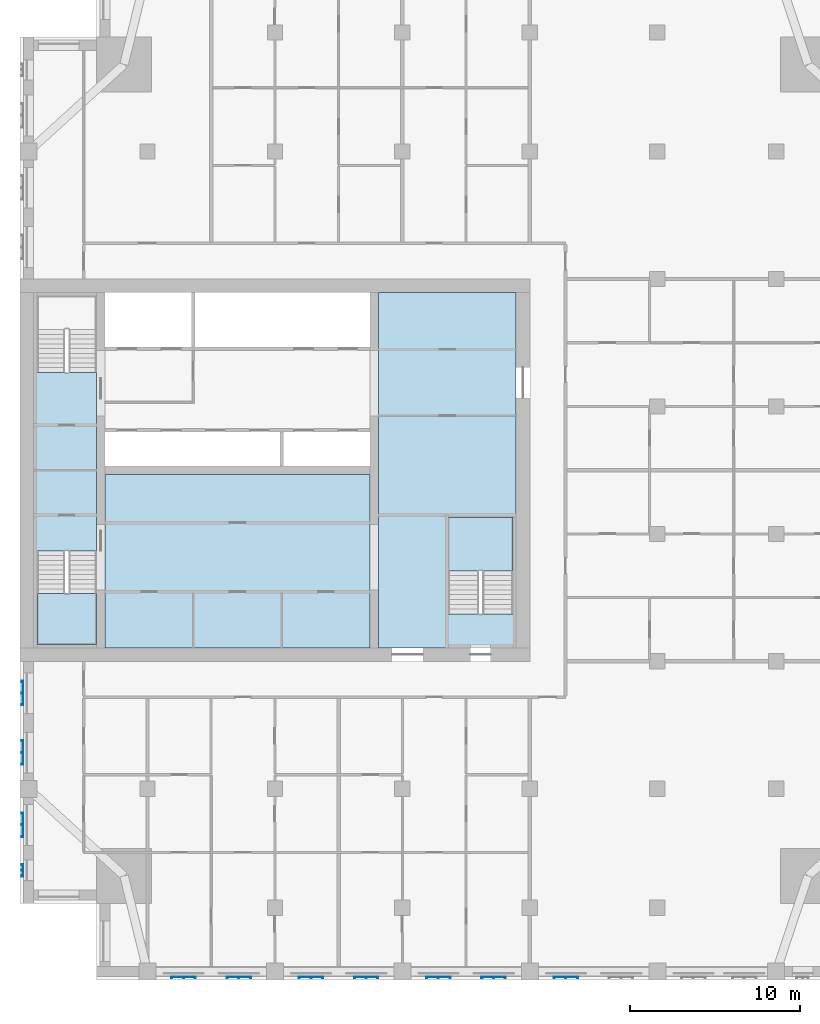
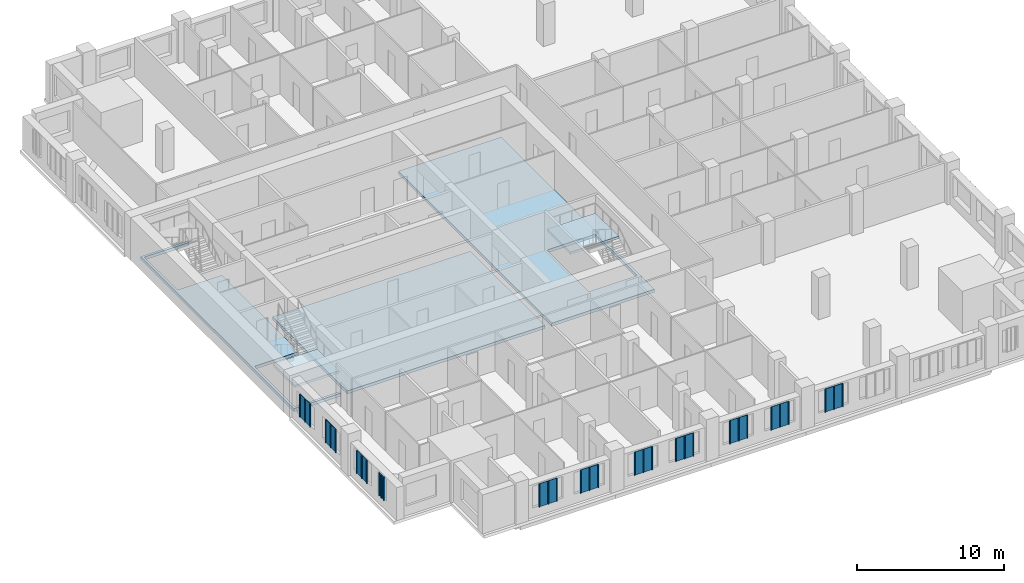
# One storey, part 2 of 14: 11 plates, 5 slabs, 2 elements without a shape of their own.
"""IFC4 building model written with IfcOpenShell, lengths in metres."""

from ifc_helpers import new_model, si_unit, direction, frame, origin, place, context, subcontext, project, spatial, polyline, outline, extrude, material, layer, layer_set, type_object, element, aggregate, save


model = new_model("IFC4")

# Units and contexts
model_context = context("Model", 3, precision=1e-05, world=origin(), true_north=direction((0.0, 1.0)))
body_context = subcontext(model_context, "Body", "Model", "MODEL_VIEW")
ifc_project = project(units=[si_unit("LENGTHUNIT", "METRE"), si_unit("AREAUNIT", "SQUARE_METRE"), si_unit("VOLUMEUNIT", "CUBIC_METRE"), si_unit("PLANEANGLEUNIT", "RADIAN"), si_unit("MASSUNIT", "GRAM", prefix="KILO")], contexts=[model_context])

# Site, building, storey
site_placement = place(None, origin())
site = spatial("IfcSite", under=ifc_project, at=site_placement, CompositionType="ELEMENT")
building_placement = place(site_placement, origin())
building = spatial("IfcBuilding", under=site, at=building_placement, Name="Tamorin Gate", CompositionType="ELEMENT")
storey_placement = place(building_placement, frame((0.0, 0.0, 179.199951171875)))
storey = spatial("IfcBuildingStorey", under=building, at=storey_placement, Name="L43", CompositionType="ELEMENT", Elevation=179.199951171875)

# Slabs
ifc_material_1 = material(Name="Concrete C40/50", Category="concrete")
ifc_layer_1 = layer(ifc_material_1, 0.25)
ifc_layer_set_1 = layer_set([ifc_layer_1], Name="Core floor slab 250 C40/50")
slab_type_1 = type_object("IfcSlabType", Name="Core floor slab 250 C40/50", PredefinedType="FLOOR", material=ifc_layer_set_1)
slab_1_placement = place(storey_placement, frame((0.0, 0.0, -0.25)))
element("IfcSlab", 1, at=slab_1_placement, inside=storey, type_object=slab_type_1, Name="Core floor L43", PredefinedType="FLOOR", context=body_context, shape_type="SweptSolid", body=[
    extrude(outline(polyline([(51.10009765625, 81.699951171875), (59.199951171875, 81.699951171875), (59.199951171875, 60.800048828125), (51.10009765625, 60.800048828125), (51.10009765625, 81.699951171875)]), holes=[polyline([(55.199951171875, 62.800048828125), (59.0, 62.800048828125), (59.0, 68.5), (55.199951171875, 68.5), (55.199951171875, 62.800048828125)])]), origin(), (0.0, 0.0, 1.0), 0.25),
])
slab_2_placement = place(storey_placement, frame((0.0, 0.0, -0.25)))
element("IfcSlab", 2, at=slab_2_placement, inside=storey, type_object=slab_type_1, Name="Core floor L43", PredefinedType="FLOOR", context=body_context, shape_type="SweptSolid", body=[
    extrude(outline(polyline([(50.60009765625, 71.0), (50.60009765625, 60.800048828125), (35.0, 60.800048828125), (35.0, 71.0), (50.60009765625, 71.0)])), origin(), (0.0, 0.0, 1.0), 0.25),
])
slab_3_placement = place(storey_placement, frame((0.0, 0.0, -0.25)))
element("IfcSlab", 3, at=slab_3_placement, inside=storey, type_object=slab_type_1, Name="Core floor L43", PredefinedType="FLOOR", context=body_context, shape_type="SweptSolid", body=[
    extrude(outline(polyline([(34.5, 60.800048828125), (30.800048828125, 60.800048828125), (30.800048828125, 81.699951171875), (34.5, 81.699951171875), (34.5, 81.5), (31.0, 81.5), (31.0, 77.0), (34.5, 77.0), (34.5, 66.5), (31.0, 66.5), (31.0, 61.0), (34.5, 61.0), (34.5, 60.800048828125)])), origin(), (0.0, 0.0, 1.0), 0.25),
])

# Stair, slab
stair_type = type_object("IfcStairType", Name="Exit stair", PredefinedType="HALF_TURN_STAIR", material=ifc_material_1)
stair_1_placement = place(storey_placement, origin())
stair_1 = element("IfcStair", 4, at=stair_1_placement, inside=storey, type_object=stair_type, Name="L43 stair ST1", PredefinedType="HALF_TURN_STAIR")
ifc_layer_2 = layer(ifc_material_1, 0.199951171875)
ifc_layer_set_2 = layer_set([ifc_layer_2], Name="Exit stair landing 200")
slab_type_2 = type_object("IfcSlabType", Name="Exit stair landing 200", PredefinedType="LANDING", material=ifc_layer_set_2)
slab_4_placement = place(storey_placement, frame((0.0, 0.0, 1.550048828125)))
slab_4 = element("IfcSlab", 5, at=slab_4_placement, type_object=slab_type_2, Name="ST1 landing 1", PredefinedType="LANDING", context=body_context, shape_type="SweptSolid", body=[
    extrude(outline(polyline([(31.0, 63.97998046875), (31.0, 61.0), (34.5, 61.0), (34.5, 63.97998046875), (31.0, 63.97998046875)])), origin(), (0.0, 0.0, 1.0), 0.199951171875),
])
aggregate(stair_1, [slab_4])

stair_2_placement = place(storey_placement, origin())
stair_2 = element("IfcStair", 6, at=stair_2_placement, inside=storey, type_object=stair_type, Name="L43 stair ST3", PredefinedType="HALF_TURN_STAIR")
slab_5_placement = place(storey_placement, frame((0.0, 0.0, 1.550048828125)))
slab_5 = element("IfcSlab", 7, at=slab_5_placement, type_object=slab_type_2, Name="ST3 landing 1", PredefinedType="LANDING", context=body_context, shape_type="SweptSolid", body=[
    extrude(outline(polyline([(59.0, 65.320068359375), (59.0, 68.5), (55.199951171875, 68.5), (55.199951171875, 65.320068359375), (59.0, 65.320068359375)])), origin(), (0.0, 0.0, 1.0), 0.199951171875),
])
aggregate(stair_2, [slab_5])

# Plates
ifc_material_2 = material(Name="Perforated pale aluminium sheet", Category="aluminium")
ifc_layer_3 = layer(ifc_material_2, 0.0400390625)
ifc_layer_set_3 = layer_set([ifc_layer_3], Name="Pale metal solar screen 1440")
plate_type_1 = type_object("IfcPlateType", Name="Pale metal solar screen 1440", PredefinedType="SHEET", material=ifc_layer_set_3)
plate_1_placement = place(storey_placement, frame((0.0, 0.0, 0.737548828125)))
element("IfcPlate", 8, at=plate_1_placement, inside=storey, type_object=plate_type_1, Name="Perforated solar screen", PredefinedType="SHEET", context=body_context, shape_type="SweptSolid", body=[
    extrude(outline(polyline([(38.905029296875, 41.409912109375), (38.905029296875, 41.449951171875), (38.965087890625, 41.449951171875), (39.594970703125, 41.449951171875), (39.655029296875, 41.449951171875), (40.284912109375, 41.449951171875), (40.344970703125, 41.449951171875), (40.344970703125, 41.449951171875), (40.344970703125, 41.409912109375), (40.344970703125, 41.409912109375), (40.344970703125, 41.35009765625), (40.284912109375, 41.35009765625), (40.284912109375, 41.409912109375), (39.655029296875, 41.409912109375), (39.655029296875, 41.35009765625), (39.594970703125, 41.35009765625), (39.594970703125, 41.409912109375), (38.965087890625, 41.409912109375), (38.965087890625, 41.35009765625), (38.905029296875, 41.35009765625), (38.905029296875, 41.409912109375)])), origin(), (0.0, 0.0, 1.0), 1.925048828125),
])
plate_2_placement = place(storey_placement, frame((0.0, 0.0, 0.737548828125)))
element("IfcPlate", 9, at=plate_2_placement, inside=storey, type_object=plate_type_1, Name="Perforated solar screen", PredefinedType="SHEET", context=body_context, shape_type="SweptSolid", body=[
    extrude(outline(polyline([(42.155029296875, 41.409912109375), (42.155029296875, 41.449951171875), (42.215087890625, 41.449951171875), (42.844970703125, 41.449951171875), (42.905029296875, 41.449951171875), (43.534912109375, 41.449951171875), (43.594970703125, 41.449951171875), (43.594970703125, 41.409912109375), (43.594970703125, 41.35009765625), (43.534912109375, 41.35009765625), (43.534912109375, 41.409912109375), (42.905029296875, 41.409912109375), (42.905029296875, 41.35009765625), (42.844970703125, 41.35009765625), (42.844970703125, 41.409912109375), (42.215087890625, 41.409912109375), (42.215087890625, 41.35009765625), (42.155029296875, 41.35009765625), (42.155029296875, 41.409912109375)])), origin(), (0.0, 0.0, 1.0), 1.925048828125),
])
plate_3_placement = place(storey_placement, frame((0.0, 0.0, 0.737548828125)))
element("IfcPlate", 10, at=plate_3_placement, inside=storey, type_object=plate_type_1, Name="Perforated solar screen", PredefinedType="SHEET", context=body_context, shape_type="SweptSolid", body=[
    extrude(outline(polyline([(46.405029296875, 41.409912109375), (46.405029296875, 41.449951171875), (46.465087890625, 41.449951171875), (47.094970703125, 41.449951171875), (47.155029296875, 41.449951171875), (47.784912109375, 41.449951171875), (47.844970703125, 41.449951171875), (47.844970703125, 41.409912109375), (47.844970703125, 41.35009765625), (47.784912109375, 41.35009765625), (47.784912109375, 41.409912109375), (47.155029296875, 41.409912109375), (47.155029296875, 41.35009765625), (47.094970703125, 41.35009765625), (47.094970703125, 41.409912109375), (46.465087890625, 41.409912109375), (46.465087890625, 41.35009765625), (46.405029296875, 41.35009765625), (46.405029296875, 41.409912109375)])), origin(), (0.0, 0.0, 1.0), 1.925048828125),
])
plate_4_placement = place(storey_placement, frame((0.0, 0.0, 0.737548828125)))
element("IfcPlate", 11, at=plate_4_placement, inside=storey, type_object=plate_type_1, Name="Perforated solar screen", PredefinedType="SHEET", context=body_context, shape_type="SweptSolid", body=[
    extrude(outline(polyline([(49.655029296875, 41.409912109375), (49.655029296875, 41.449951171875), (49.715087890625, 41.449951171875), (50.344970703125, 41.449951171875), (50.405029296875, 41.449951171875), (51.034912109375, 41.449951171875), (51.094970703125, 41.449951171875), (51.094970703125, 41.409912109375), (51.094970703125, 41.35009765625), (51.034912109375, 41.35009765625), (51.034912109375, 41.409912109375), (50.405029296875, 41.409912109375), (50.405029296875, 41.35009765625), (50.344970703125, 41.35009765625), (50.344970703125, 41.409912109375), (49.715087890625, 41.409912109375), (49.715087890625, 41.35009765625), (49.655029296875, 41.35009765625), (49.655029296875, 41.409912109375)])), origin(), (0.0, 0.0, 1.0), 1.925048828125),
])
plate_5_placement = place(storey_placement, frame((0.0, 0.0, 0.737548828125)))
element("IfcPlate", 12, at=plate_5_placement, inside=storey, type_object=plate_type_1, Name="Perforated solar screen", PredefinedType="SHEET", context=body_context, shape_type="SweptSolid", body=[
    extrude(outline(polyline([(53.905029296875, 41.409912109375), (53.905029296875, 41.449951171875), (53.965087890625, 41.449951171875), (54.594970703125, 41.449951171875), (54.655029296875, 41.449951171875), (55.284912109375, 41.449951171875), (55.344970703125, 41.449951171875), (55.344970703125, 41.409912109375), (55.344970703125, 41.35009765625), (55.284912109375, 41.35009765625), (55.284912109375, 41.409912109375), (54.655029296875, 41.409912109375), (54.655029296875, 41.35009765625), (54.594970703125, 41.35009765625), (54.594970703125, 41.409912109375), (53.965087890625, 41.409912109375), (53.965087890625, 41.35009765625), (53.905029296875, 41.35009765625), (53.905029296875, 41.409912109375)])), origin(), (0.0, 0.0, 1.0), 1.925048828125),
])
plate_6_placement = place(storey_placement, frame((0.0, 0.0, 0.737548828125)))
element("IfcPlate", 13, at=plate_6_placement, inside=storey, type_object=plate_type_1, Name="Perforated solar screen", PredefinedType="SHEET", context=body_context, shape_type="SweptSolid", body=[
    extrude(outline(polyline([(57.155029296875, 41.409912109375), (57.155029296875, 41.449951171875), (57.215087890625, 41.449951171875), (57.844970703125, 41.449951171875), (57.905029296875, 41.449951171875), (58.534912109375, 41.449951171875), (58.594970703125, 41.449951171875), (58.594970703125, 41.409912109375), (58.594970703125, 41.35009765625), (58.534912109375, 41.35009765625), (58.534912109375, 41.409912109375), (57.905029296875, 41.409912109375), (57.905029296875, 41.35009765625), (57.844970703125, 41.35009765625), (57.844970703125, 41.409912109375), (57.215087890625, 41.409912109375), (57.215087890625, 41.35009765625), (57.155029296875, 41.35009765625), (57.155029296875, 41.409912109375)])), origin(), (0.0, 0.0, 1.0), 1.925048828125),
])
plate_7_placement = place(storey_placement, frame((0.0, 0.0, 0.737548828125)))
element("IfcPlate", 14, at=plate_7_placement, inside=storey, type_object=plate_type_1, Name="Perforated solar screen", PredefinedType="SHEET", context=body_context, shape_type="SweptSolid", body=[
    extrude(outline(polyline([(61.405029296875, 41.409912109375), (61.405029296875, 41.449951171875), (61.465087890625, 41.449951171875), (62.094970703125, 41.449951171875), (62.155029296875, 41.449951171875), (62.784912109375, 41.449951171875), (62.844970703125, 41.449951171875), (62.844970703125, 41.409912109375), (62.844970703125, 41.35009765625), (62.784912109375, 41.35009765625), (62.784912109375, 41.409912109375), (62.155029296875, 41.409912109375), (62.155029296875, 41.35009765625), (62.094970703125, 41.35009765625), (62.094970703125, 41.409912109375), (61.465087890625, 41.409912109375), (61.465087890625, 41.35009765625), (61.405029296875, 41.35009765625), (61.405029296875, 41.409912109375)])), origin(), (0.0, 0.0, 1.0), 1.925048828125),
])
plate_8_placement = place(storey_placement, frame((0.0, 0.0, 0.737548828125)))
element("IfcPlate", 15, at=plate_8_placement, inside=storey, type_object=plate_type_1, Name="Perforated solar screen", PredefinedType="SHEET", context=body_context, shape_type="SweptSolid", body=[
    extrude(outline(polyline([(30.159912109375, 55.344970703125), (30.199951171875, 55.344970703125), (30.199951171875, 55.284912109375), (30.199951171875, 54.655029296875), (30.199951171875, 54.594970703125), (30.199951171875, 53.965087890625), (30.199951171875, 53.905029296875), (30.159912109375, 53.905029296875), (30.10009765625, 53.905029296875), (30.10009765625, 53.965087890625), (30.159912109375, 53.965087890625), (30.159912109375, 54.594970703125), (30.10009765625, 54.594970703125), (30.10009765625, 54.655029296875), (30.159912109375, 54.655029296875), (30.159912109375, 55.284912109375), (30.10009765625, 55.284912109375), (30.10009765625, 55.344970703125), (30.159912109375, 55.344970703125)])), origin(), (0.0, 0.0, 1.0), 1.925048828125),
])
plate_9_placement = place(storey_placement, frame((0.0, 0.0, 0.737548828125)))
element("IfcPlate", 16, at=plate_9_placement, inside=storey, type_object=plate_type_1, Name="Perforated solar screen", PredefinedType="SHEET", context=body_context, shape_type="SweptSolid", body=[
    extrude(outline(polyline([(30.159912109375, 58.844970703125), (30.199951171875, 58.844970703125), (30.199951171875, 58.784912109375), (30.199951171875, 58.155029296875), (30.199951171875, 58.094970703125), (30.199951171875, 57.465087890625), (30.199951171875, 57.405029296875), (30.159912109375, 57.405029296875), (30.10009765625, 57.405029296875), (30.10009765625, 57.465087890625), (30.159912109375, 57.465087890625), (30.159912109375, 58.094970703125), (30.10009765625, 58.094970703125), (30.10009765625, 58.155029296875), (30.159912109375, 58.155029296875), (30.159912109375, 58.784912109375), (30.10009765625, 58.784912109375), (30.10009765625, 58.844970703125), (30.159912109375, 58.844970703125)])), origin(), (0.0, 0.0, 1.0), 1.925048828125),
])
plate_10_placement = place(storey_placement, frame((0.0, 0.0, 0.737548828125)))
element("IfcPlate", 17, at=plate_10_placement, inside=storey, type_object=plate_type_1, Name="Perforated solar screen", PredefinedType="SHEET", context=body_context, shape_type="SweptSolid", body=[
    extrude(outline(polyline([(30.159912109375, 51.094970703125), (30.199951171875, 51.094970703125), (30.199951171875, 51.034912109375), (30.199951171875, 50.405029296875), (30.199951171875, 50.344970703125), (30.199951171875, 49.715087890625), (30.199951171875, 49.655029296875), (30.159912109375, 49.655029296875), (30.10009765625, 49.655029296875), (30.10009765625, 49.715087890625), (30.159912109375, 49.715087890625), (30.159912109375, 50.344970703125), (30.10009765625, 50.344970703125), (30.10009765625, 50.405029296875), (30.159912109375, 50.405029296875), (30.159912109375, 51.034912109375), (30.10009765625, 51.034912109375), (30.10009765625, 51.094970703125), (30.159912109375, 51.094970703125)])), origin(), (0.0, 0.0, 1.0), 1.925048828125),
])
ifc_layer_4 = layer(ifc_material_2, 0.0400390625)
ifc_layer_set_4 = layer_set([ifc_layer_4], Name="Pale metal solar screen 720")
plate_type_2 = type_object("IfcPlateType", Name="Pale metal solar screen 720", PredefinedType="SHEET", material=ifc_layer_set_4)
plate_11_placement = place(storey_placement, frame((0.0, 0.0, 0.737548828125)))
element("IfcPlate", 18, at=plate_11_placement, inside=storey, type_object=plate_type_2, Name="Perforated solar screen", PredefinedType="SHEET", context=body_context, shape_type="SweptSolid", body=[
    extrude(outline(polyline([(30.159912109375, 48.06005859375), (30.199951171875, 48.06005859375), (30.199951171875, 48.0), (30.199951171875, 47.72998046875), (30.199951171875, 47.669921875), (30.199951171875, 47.39990234375), (30.199951171875, 47.340087890625), (30.159912109375, 47.340087890625), (30.10009765625, 47.340087890625), (30.10009765625, 47.39990234375), (30.159912109375, 47.39990234375), (30.159912109375, 47.669921875), (30.10009765625, 47.669921875), (30.10009765625, 47.72998046875), (30.159912109375, 47.72998046875), (30.159912109375, 48.0), (30.10009765625, 48.0), (30.10009765625, 48.06005859375), (30.159912109375, 48.06005859375)])), origin(), (0.0, 0.0, 1.0), 1.925048828125),
])

save(model, "model.ifc")
